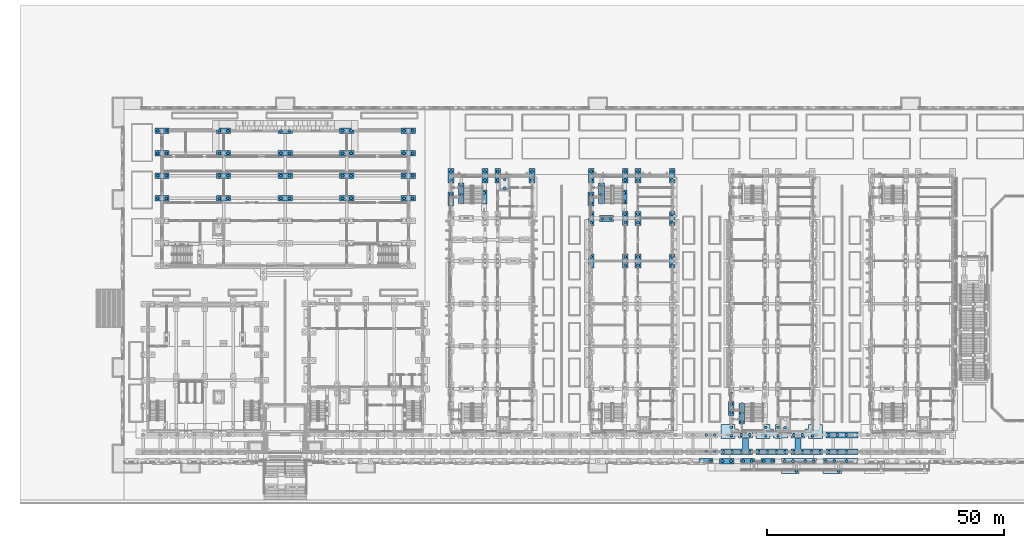
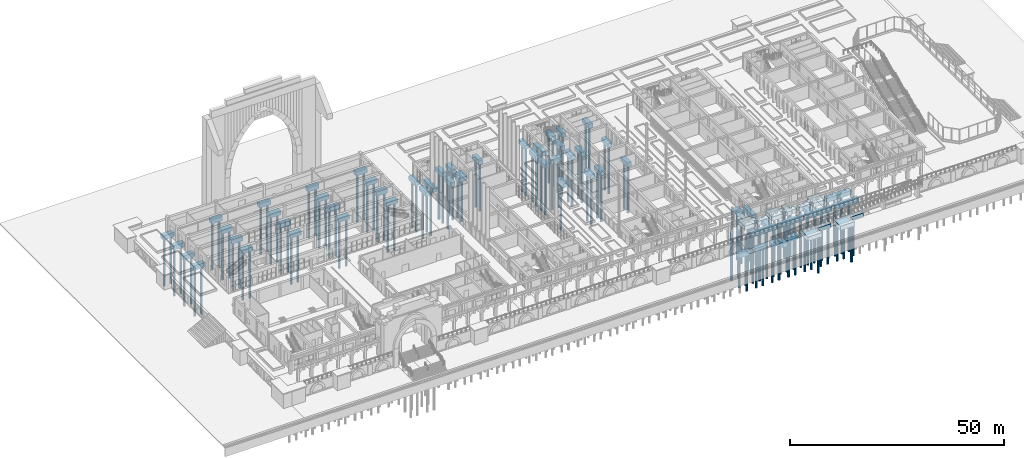
# One storey, part 4 of 161: 140 piles, 60 footings.
"""IFC4 building model written with IfcOpenShell, lengths in metres."""

from ifc_helpers import new_model, si_unit, direction, frame, origin, origin_2d, place, context, subcontext, project, spatial, polyline, rectangle, circle, outline, extrude, material, material_profile, profile_set, type_object, element, save


model = new_model("IFC4")

# Units and contexts
model_context = context("Model", 3, precision=1e-05, world=origin(), true_north=direction((0.0, 1.0)))
body_context = subcontext(model_context, "Body", "Model", "MODEL_VIEW")
ifc_project = project(units=[si_unit("LENGTHUNIT", "METRE"), si_unit("AREAUNIT", "SQUARE_METRE"), si_unit("VOLUMEUNIT", "CUBIC_METRE"), si_unit("PLANEANGLEUNIT", "RADIAN"), si_unit("MASSUNIT", "GRAM", prefix="KILO")], contexts=[model_context])

# Site, building, storey
site_placement = place(None, origin())
site = spatial("IfcSite", under=ifc_project, at=site_placement, CompositionType="ELEMENT")
building_placement = place(site_placement, origin())
building = spatial("IfcBuilding", under=site, at=building_placement, Name="Elbe Cascade School", CompositionType="ELEMENT")
storey_placement = place(building_placement, origin())
storey = spatial("IfcBuildingStorey", under=building, at=storey_placement, Name="L00", CompositionType="ELEMENT", Elevation=0.0)

# Piles
ifc_material_1 = material(Name="Concrete C35/45", Category="concrete")
ifc_material_profile = material_profile(ifc_material_1, circle(Radius=0.300048828125, at=origin_2d()), Name="RC D600")
ifc_profile_set = profile_set([ifc_material_profile], Name="Concrete C35/45")
pile_type = type_object("IfcPileType", Name="Found bored pile RC D600", PredefinedType="BORED", material=ifc_profile_set)
for number, where, z_axis, x_axis, name in (
    (1, (123.779296875, -0.25, -4.5), (0.0, 0.0, -1.0), (1.0, 0.0, 0.0), "Pile 025-2"),
    (2, (126.34130859375, -0.25, -4.5), (0.0, 0.0, -1.0), (1.0, 0.0, 0.0), "Pile 026-1"),
    (3, (128.141357421875, -0.25, -4.5), (0.0, 0.0, -1.0), (1.0, 0.0, 0.0), "Pile 026-2"),
    (4, (135.0654296875, -0.25, -4.5), (0.0, 0.0, -1.0), (1.0, 0.0, 0.0), "Pile 027-1"),
    (5, (136.865478515625, -0.25, -4.5), (0.0, 0.0, -1.0), (1.0, 0.0, 0.0), "Pile 027-2"),
):
    element("IfcPile", number, at=place(storey_placement, frame(where, z_axis=z_axis, x_axis=x_axis)), inside=storey, type_object=pile_type, Name=name, PredefinedType="BORED", context=body_context, shape_type="SweptSolid", body=[
        extrude(circle(Radius=0.300048828125, at=origin_2d()), origin(), (0.0, 0.0, 1.0), 10.5),
    ])
for number, where, z_axis, x_axis, name in (
    (6, (80.35009765625, 57.39990234375, -3.199951171875), (0.0, 0.0, -1.0), (1.0, 0.0, 0.0), "Pile 037-1"),
    (7, (80.35009765625, 59.199951171875, -3.199951171875), (0.0, 0.0, -1.0), (1.0, 0.0, 0.0), "Pile 037-2"),
    (8, (139.550048828125, 6.800048828125, -3.199951171875), (0.0, 0.0, -1.0), (1.0, 0.0, 0.0), "Pile 039-1"),
):
    element("IfcPile", number, at=place(storey_placement, frame(where, z_axis=z_axis, x_axis=x_axis)), inside=storey, type_object=pile_type, Name=name, PredefinedType="BORED", context=body_context, shape_type="SweptSolid", body=[
        extrude(circle(Radius=0.300048828125, at=origin_2d()), origin(), (0.0, 0.0, 1.0), 11.800048828125),
    ])
for number, where, z_axis, x_axis, name in (
    (9, (7.10009765625, 55.25, -1.39990234375), (0.0, 0.0, -1.0), (1.0, 0.0, 0.0), "Pile 053-1"),
    (10, (8.89990234375, 55.25, -1.39990234375), (0.0, 0.0, -1.0), (1.0, 0.0, 0.0), "Pile 053-2"),
    (11, (7.10009765625, 60.0, -1.39990234375), (0.0, 0.0, -1.0), (1.0, 0.0, 0.0), "Pile 054-1"),
    (12, (8.89990234375, 60.0, -1.39990234375), (0.0, 0.0, -1.0), (1.0, 0.0, 0.0), "Pile 054-2"),
    (13, (7.10009765625, 64.75, -1.39990234375), (0.0, 0.0, -1.0), (1.0, 0.0, 0.0), "Pile 055-1"),
    (14, (8.89990234375, 64.75, -1.39990234375), (0.0, 0.0, -1.0), (1.0, 0.0, 0.0), "Pile 055-2"),
    (15, (7.10009765625, 69.5, -1.39990234375), (0.0, 0.0, -1.0), (1.0, 0.0, 0.0), "Pile 056-1"),
    (16, (8.89990234375, 69.5, -1.39990234375), (0.0, 0.0, -1.0), (1.0, 0.0, 0.0), "Pile 056-2"),
    (17, (20.10009765625, 55.25, -1.39990234375), (0.0, 0.0, -1.0), (1.0, 0.0, 0.0), "Pile 068-1"),
    (18, (21.89990234375, 55.25, -1.39990234375), (0.0, 0.0, -1.0), (1.0, 0.0, 0.0), "Pile 068-2"),
    (19, (20.10009765625, 60.0, -1.39990234375), (0.0, 0.0, -1.0), (1.0, 0.0, 0.0), "Pile 069-1"),
    (20, (21.89990234375, 60.0, -1.39990234375), (0.0, 0.0, -1.0), (1.0, 0.0, 0.0), "Pile 069-2"),
    (21, (20.10009765625, 64.75, -1.39990234375), (0.0, 0.0, -1.0), (1.0, 0.0, 0.0), "Pile 070-1"),
    (22, (21.89990234375, 64.75, -1.39990234375), (0.0, 0.0, -1.0), (1.0, 0.0, 0.0), "Pile 070-2"),
    (23, (20.10009765625, 69.5, -1.39990234375), (0.0, 0.0, -1.0), (1.0, 0.0, 0.0), "Pile 071-1"),
    (24, (21.89990234375, 69.5, -1.39990234375), (0.0, 0.0, -1.0), (1.0, 0.0, 0.0), "Pile 071-2"),
    (25, (33.10009765625, 55.25, -1.39990234375), (0.0, 0.0, -1.0), (1.0, 0.0, 0.0), "Pile 084-1"),
    (26, (34.89990234375, 55.25, -1.39990234375), (0.0, 0.0, -1.0), (1.0, 0.0, 0.0), "Pile 084-2"),
    (27, (33.10009765625, 60.0, -1.39990234375), (0.0, 0.0, -1.0), (1.0, 0.0, 0.0), "Pile 085-1"),
    (28, (34.89990234375, 60.0, -1.39990234375), (0.0, 0.0, -1.0), (1.0, 0.0, 0.0), "Pile 085-2"),
    (29, (33.10009765625, 64.75, -1.39990234375), (0.0, 0.0, -1.0), (1.0, 0.0, 0.0), "Pile 086-1"),
    (30, (34.89990234375, 64.75, -1.39990234375), (0.0, 0.0, -1.0), (1.0, 0.0, 0.0), "Pile 086-2"),
    (31, (33.10009765625, 69.5, -1.39990234375), (0.0, 0.0, -1.0), (1.0, 0.0, 0.0), "Pile 087-1"),
    (32, (34.89990234375, 69.5, -1.39990234375), (0.0, 0.0, -1.0), (1.0, 0.0, 0.0), "Pile 087-2"),
    (33, (46.10009765625, 55.25, -1.39990234375), (0.0, 0.0, -1.0), (1.0, 0.0, 0.0), "Pile 101-1"),
    (34, (47.89990234375, 55.25, -1.39990234375), (0.0, 0.0, -1.0), (1.0, 0.0, 0.0), "Pile 101-2"),
    (35, (46.10009765625, 60.0, -1.39990234375), (0.0, 0.0, -1.0), (1.0, 0.0, 0.0), "Pile 102-1"),
    (36, (47.89990234375, 60.0, -1.39990234375), (0.0, 0.0, -1.0), (1.0, 0.0, 0.0), "Pile 102-2"),
    (37, (46.10009765625, 64.75, -1.39990234375), (0.0, 0.0, -1.0), (1.0, 0.0, 0.0), "Pile 103-1"),
    (38, (47.89990234375, 64.75, -1.39990234375), (0.0, 0.0, -1.0), (1.0, 0.0, 0.0), "Pile 103-2"),
    (39, (46.10009765625, 69.5, -1.39990234375), (0.0, 0.0, -1.0), (1.0, 0.0, 0.0), "Pile 104-1"),
    (40, (47.89990234375, 69.5, -1.39990234375), (0.0, 0.0, -1.0), (1.0, 0.0, 0.0), "Pile 104-2"),
    (41, (59.10009765625, 55.25, -1.39990234375), (0.0, 0.0, -1.0), (1.0, 0.0, 0.0), "Pile 115-1"),
    (42, (60.89990234375, 55.25, -1.39990234375), (0.0, 0.0, -1.0), (1.0, 0.0, 0.0), "Pile 115-2"),
    (43, (59.10009765625, 60.0, -1.39990234375), (0.0, 0.0, -1.0), (1.0, 0.0, 0.0), "Pile 116-1"),
    (44, (60.89990234375, 60.0, -1.39990234375), (0.0, 0.0, -1.0), (1.0, 0.0, 0.0), "Pile 116-2"),
    (45, (59.10009765625, 64.75, -1.39990234375), (0.0, 0.0, -1.0), (1.0, 0.0, 0.0), "Pile 117-1"),
    (46, (60.89990234375, 64.75, -1.39990234375), (0.0, 0.0, -1.0), (1.0, 0.0, 0.0), "Pile 117-2"),
    (47, (59.10009765625, 69.5, -1.39990234375), (0.0, 0.0, -1.0), (1.0, 0.0, 0.0), "Pile 118-1"),
    (48, (60.89990234375, 69.5, -1.39990234375), (0.0, 0.0, -1.0), (1.0, 0.0, 0.0), "Pile 118-2"),
    (49, (68.97998046875, 56.010009765625, -1.39990234375), (0.0, 0.0, -1.0), (1.0, 0.0, 0.0), "Pile 125-2"),
    (50, (69.0, 59.10009765625, -1.39990234375), (0.0, 0.0, -1.0), (1.0, 0.0, 0.0), "Pile 131-1"),
    (51, (69.0, 60.89990234375, -1.39990234375), (0.0, 0.0, -1.0), (1.0, 0.0, 0.0), "Pile 131-2"),
    (52, (76.0, 56.39990234375, -1.39990234375), (0.0, 0.0, -1.0), (1.0, 0.0, 0.0), "Pile 140-2"),
    (53, (76.199951171875, 59.10009765625, -1.39990234375), (0.0, 0.0, -1.0), (1.0, 0.0, 0.0), "Pile 146-1"),
    (54, (76.199951171875, 60.89990234375, -1.39990234375), (0.0, 0.0, -1.0), (1.0, 0.0, 0.0), "Pile 146-2"),
    (55, (78.89990234375, 59.10009765625, -1.39990234375), (0.0, 0.0, -1.0), (1.0, 0.0, 0.0), "Pile 152-1"),
    (56, (78.89990234375, 60.89990234375, -1.39990234375), (0.0, 0.0, -1.0), (1.0, 0.0, 0.0), "Pile 152-2"),
    (57, (86.10009765625, 59.10009765625, -1.39990234375), (0.0, 0.0, -1.0), (1.0, 0.0, 0.0), "Pile 161-1"),
    (58, (86.10009765625, 60.89990234375, -1.39990234375), (0.0, 0.0, -1.0), (1.0, 0.0, 0.0), "Pile 161-2"),
    (59, (98.580078125, 54.2099609375, -1.39990234375), (0.0, 0.0, -1.0), (1.0, 0.0, 0.0), "Pile 163-1"),
    (60, (98.580078125, 56.010009765625, -1.39990234375), (0.0, 0.0, -1.0), (1.0, 0.0, 0.0), "Pile 163-2"),
    (61, (98.60009765625, 42.89990234375, -1.39990234375), (0.0, 0.0, -1.0), (1.0, 0.0, 0.0), "Pile 167-2"),
    (62, (98.60009765625, 50.10009765625, -1.39990234375), (0.0, 0.0, -1.0), (1.0, 0.0, 0.0), "Pile 168-1"),
    (63, (98.60009765625, 51.89990234375, -1.39990234375), (0.0, 0.0, -1.0), (1.0, 0.0, 0.0), "Pile 168-2"),
    (64, (98.60009765625, 59.10009765625, -1.39990234375), (0.0, 0.0, -1.0), (1.0, 0.0, 0.0), "Pile 169-1"),
    (65, (98.60009765625, 60.89990234375, -1.39990234375), (0.0, 0.0, -1.0), (1.0, 0.0, 0.0), "Pile 169-2"),
    (66, (100.949951171875, 51.0, -1.39990234375), (0.0, 0.0, -1.0), (1.0, 0.0, 0.0), "Pile 171-1"),
    (67, (102.75, 51.0, -1.39990234375), (0.0, 0.0, -1.0), (1.0, 0.0, 0.0), "Pile 171-2"),
    (68, (105.60009765625, 54.60009765625, -1.39990234375), (0.0, 0.0, -1.0), (1.0, 0.0, 0.0), "Pile 173-1"),
    (69, (105.60009765625, 56.39990234375, -1.39990234375), (0.0, 0.0, -1.0), (1.0, 0.0, 0.0), "Pile 173-2"),
    (70, (105.800048828125, 41.10009765625, -1.39990234375), (0.0, 0.0, -1.0), (1.0, 0.0, 0.0), "Pile 177-1"),
    (71, (105.800048828125, 42.89990234375, -1.39990234375), (0.0, 0.0, -1.0), (1.0, 0.0, 0.0), "Pile 177-2"),
    (72, (105.800048828125, 50.10009765625, -1.39990234375), (0.0, 0.0, -1.0), (1.0, 0.0, 0.0), "Pile 178-1"),
    (73, (105.800048828125, 51.89990234375, -1.39990234375), (0.0, 0.0, -1.0), (1.0, 0.0, 0.0), "Pile 178-2"),
    (74, (105.800048828125, 59.10009765625, -1.39990234375), (0.0, 0.0, -1.0), (1.0, 0.0, 0.0), "Pile 179-1"),
    (75, (105.800048828125, 60.89990234375, -1.39990234375), (0.0, 0.0, -1.0), (1.0, 0.0, 0.0), "Pile 179-2"),
    (76, (108.5, 41.10009765625, -1.39990234375), (0.0, 0.0, -1.0), (1.0, 0.0, 0.0), "Pile 183-1"),
    (77, (108.5, 42.89990234375, -1.39990234375), (0.0, 0.0, -1.0), (1.0, 0.0, 0.0), "Pile 183-2"),
    (78, (108.5, 50.10009765625, -1.39990234375), (0.0, 0.0, -1.0), (1.0, 0.0, 0.0), "Pile 184-1"),
    (79, (108.5, 51.89990234375, -1.39990234375), (0.0, 0.0, -1.0), (1.0, 0.0, 0.0), "Pile 184-2"),
    (80, (108.5, 59.10009765625, -1.39990234375), (0.0, 0.0, -1.0), (1.0, 0.0, 0.0), "Pile 185-1"),
    (81, (108.5, 60.89990234375, -1.39990234375), (0.0, 0.0, -1.0), (1.0, 0.0, 0.0), "Pile 185-2"),
    (82, (115.699951171875, 41.10009765625, -1.39990234375), (0.0, 0.0, -1.0), (1.0, 0.0, 0.0), "Pile 189-1"),
    (83, (115.699951171875, 42.89990234375, -1.39990234375), (0.0, 0.0, -1.0), (1.0, 0.0, 0.0), "Pile 189-2"),
    (84, (115.699951171875, 50.10009765625, -1.39990234375), (0.0, 0.0, -1.0), (1.0, 0.0, 0.0), "Pile 190-1"),
    (85, (115.699951171875, 51.89990234375, -1.39990234375), (0.0, 0.0, -1.0), (1.0, 0.0, 0.0), "Pile 190-2"),
    (86, (115.699951171875, 59.10009765625, -1.39990234375), (0.0, 0.0, -1.0), (1.0, 0.0, 0.0), "Pile 191-1"),
    (87, (115.699951171875, 60.89990234375, -1.39990234375), (0.0, 0.0, -1.0), (1.0, 0.0, 0.0), "Pile 191-2"),
    (88, (128.179931640625, 9.989990234375, -1.39990234375), (0.0, 0.0, -1.0), (1.0, 0.0, 0.0), "Pile 192-1"),
    (89, (128.179931640625, 11.7900390625, -1.39990234375), (0.0, 0.0, -1.0), (1.0, 0.0, 0.0), "Pile 192-2"),
    (90, (128.199951171875, 14.10009765625, -1.39990234375), (0.0, 0.0, -1.0), (1.0, 0.0, 0.0), "Pile 194-1"),
):
    element("IfcPile", number, at=place(storey_placement, frame(where, z_axis=z_axis, x_axis=x_axis)), inside=storey, type_object=pile_type, Name=name, PredefinedType="BORED", context=body_context, shape_type="SweptSolid", body=[
        extrude(circle(Radius=0.300048828125, at=origin_2d()), origin(), (0.0, 0.0, 1.0), 13.60009765625),
    ])
for number, where, z_axis, x_axis, name in (
    (91, (139.427490234375, -0.25, -4.5), (0.0, 0.0, -1.0), (1.0, 0.0, 0.0), "Pile 260-1"),
    (92, (141.2275390625, -0.25, -4.5), (0.0, 0.0, -1.0), (1.0, 0.0, 0.0), "Pile 260-2"),
    (93, (141.929931640625, -2.300048828125, -4.5), (0.0, 0.0, -1.0), (1.0, 0.0, 0.0), "Pile 260-3"),
    (94, (143.78955078125, -0.25, -4.5), (0.0, 0.0, -1.0), (1.0, 0.0, 0.0), "Pile 260-4"),
    (95, (145.589599609375, -0.25, -4.5), (0.0, 0.0, -1.0), (1.0, 0.0, 0.0), "Pile 260-5"),
    (96, (148.151611328125, -0.25, -4.5), (0.0, 0.0, -1.0), (1.0, 0.0, 0.0), "Pile 261-1"),
    (97, (149.95166015625, -0.25, -4.5), (0.0, 0.0, -1.0), (1.0, 0.0, 0.0), "Pile 261-2"),
    (98, (150.8701171875, -2.300048828125, -4.5), (0.0, 0.0, -1.0), (1.0, 0.0, 0.0), "Pile 261-3"),
    (99, (152.513671875, -0.25, -4.5), (0.0, 0.0, -1.0), (1.0, 0.0, 0.0), "Pile 261-4"),
):
    element("IfcPile", number, at=place(storey_placement, frame(where, z_axis=z_axis, x_axis=x_axis)), inside=storey, type_object=pile_type, Name=name, PredefinedType="BORED", context=body_context, shape_type="SweptSolid", body=[
        extrude(circle(Radius=0.300048828125, at=origin_2d()), origin(), (0.0, 0.0, 1.0), 10.5),
    ])
for number, where, z_axis, x_axis, name in (
    (100, (128.199951171875, 5.10009765625, -1.39990234375), (0.0, 0.0, -1.0), (1.0, 0.0, 0.0), "Pile 263-1"),
    (101, (128.199951171875, 6.89990234375, -1.39990234375), (0.0, 0.0, -1.0), (1.0, 0.0, 0.0), "Pile 263-2"),
    (102, (130.300048828125, 5.27490234375, -1.39990234375), (0.0, 0.0, -1.0), (1.0, 0.0, 0.0), "Pile 263-3"),
    (103, (132.10009765625, 5.27490234375, -1.39990234375), (0.0, 0.0, -1.0), (1.0, 0.0, 0.0), "Pile 263-4"),
    (104, (135.39990234375, 5.10009765625, -1.39990234375), (0.0, 0.0, -1.0), (1.0, 0.0, 0.0), "Pile 264-1"),
    (105, (135.39990234375, 6.89990234375, -1.39990234375), (0.0, 0.0, -1.0), (1.0, 0.0, 0.0), "Pile 264-2"),
    (106, (138.10009765625, 5.10009765625, -1.39990234375), (0.0, 0.0, -1.0), (1.0, 0.0, 0.0), "Pile 264-3"),
    (107, (138.10009765625, 6.89990234375, -1.39990234375), (0.0, 0.0, -1.0), (1.0, 0.0, 0.0), "Pile 264-4"),
    (108, (141.39990234375, 5.27490234375, -1.39990234375), (0.0, 0.0, -1.0), (1.0, 0.0, 0.0), "Pile 265-1"),
    (109, (143.199951171875, 5.27490234375, -1.39990234375), (0.0, 0.0, -1.0), (1.0, 0.0, 0.0), "Pile 265-2"),
    (110, (145.300048828125, 5.10009765625, -1.39990234375), (0.0, 0.0, -1.0), (1.0, 0.0, 0.0), "Pile 265-3"),
    (111, (122.89990234375, 1.72509765625, -1.39990234375), (0.0, 0.0, -1.0), (1.0, 0.0, 0.0), "Pile 285-3"),
    (112, (124.699951171875, 1.72509765625, -1.39990234375), (0.0, 0.0, -1.0), (1.0, 0.0, 0.0), "Pile 285-4"),
    (113, (134.0, 1.72509765625, -1.39990234375), (0.0, 0.0, -1.0), (1.0, 0.0, 0.0), "Pile 286-1"),
    (114, (135.800048828125, 1.72509765625, -1.39990234375), (0.0, 0.0, -1.0), (1.0, 0.0, 0.0), "Pile 286-2"),
    (115, (137.699951171875, 1.72509765625, -1.39990234375), (0.0, 0.0, -1.0), (1.0, 0.0, 0.0), "Pile 286-3"),
    (116, (139.5, 1.72509765625, -1.39990234375), (0.0, 0.0, -1.0), (1.0, 0.0, 0.0), "Pile 286-4"),
    (117, (148.800048828125, 1.72509765625, -1.39990234375), (0.0, 0.0, -1.0), (1.0, 0.0, 0.0), "Pile 287-1"),
    (118, (150.60009765625, 1.72509765625, -1.39990234375), (0.0, 0.0, -1.0), (1.0, 0.0, 0.0), "Pile 287-2"),
    (119, (152.5, 1.72509765625, -1.39990234375), (0.0, 0.0, -1.0), (1.0, 0.0, 0.0), "Pile 287-3"),
    (120, (122.89990234375, 5.27490234375, -1.39990234375), (0.0, 0.0, -1.0), (1.0, 0.0, 0.0), "Pile 290-3"),
    (121, (124.699951171875, 5.27490234375, -1.39990234375), (0.0, 0.0, -1.0), (1.0, 0.0, 0.0), "Pile 290-4"),
    (122, (148.800048828125, 5.27490234375, -1.39990234375), (0.0, 0.0, -1.0), (1.0, 0.0, 0.0), "Pile 291-1"),
    (123, (150.60009765625, 5.27490234375, -1.39990234375), (0.0, 0.0, -1.0), (1.0, 0.0, 0.0), "Pile 291-2"),
    (124, (152.5, 5.27490234375, -1.39990234375), (0.0, 0.0, -1.0), (1.0, 0.0, 0.0), "Pile 291-3"),
):
    element("IfcPile", number, at=place(storey_placement, frame(where, z_axis=z_axis, x_axis=x_axis)), inside=storey, type_object=pile_type, Name=name, PredefinedType="BORED", context=body_context, shape_type="SweptSolid", body=[
        extrude(circle(Radius=0.300048828125, at=origin_2d()), origin(), (0.0, 0.0, 1.0), 13.60009765625),
    ])
for number, where, z_axis, x_axis, name in (
    (125, (130.703369140625, -0.25, -4.5), (0.0, 0.0, -1.0), (1.0, 0.0, 0.0), "Pile 298-1"),
    (126, (132.50341796875, -0.25, -4.5), (0.0, 0.0, -1.0), (1.0, 0.0, 0.0), "Pile 298-2"),
):
    element("IfcPile", number, at=place(storey_placement, frame(where, z_axis=z_axis, x_axis=x_axis)), inside=storey, type_object=pile_type, Name=name, PredefinedType="BORED", context=body_context, shape_type="SweptSolid", body=[
        extrude(circle(Radius=0.300048828125, at=origin_2d()), origin(), (0.0, 0.0, 1.0), 10.5),
    ])
for number, where, z_axis, x_axis, name in (
    (127, (130.375, 8.139892578125, -1.39990234375), (0.0, 0.0, -1.0), (1.0, 0.0, 0.0), "Pile 300-1"),
    (128, (130.375, 9.93994140625, -1.39990234375), (0.0, 0.0, -1.0), (1.0, 0.0, 0.0), "Pile 300-2"),
    (129, (100.77490234375, 56.06005859375, -1.39990234375), (0.0, 0.0, -1.0), (1.0, 0.0, 0.0), "Pile 303-1"),
    (130, (100.77490234375, 57.860107421875, -1.39990234375), (0.0, 0.0, -1.0), (1.0, 0.0, 0.0), "Pile 303-2"),
    (131, (71.175048828125, 56.06005859375, -1.39990234375), (0.0, 0.0, -1.0), (1.0, 0.0, 0.0), "Pile 306-1"),
    (132, (71.175048828125, 57.860107421875, -1.39990234375), (0.0, 0.0, -1.0), (1.0, 0.0, 0.0), "Pile 306-2"),
    (133, (126.60009765625, 1.72509765625, -1.39990234375), (0.0, 0.0, -1.0), (1.0, 0.0, 0.0), "Pile 315-1"),
    (134, (128.39990234375, 1.72509765625, -1.39990234375), (0.0, 0.0, -1.0), (1.0, 0.0, 0.0), "Pile 315-2"),
    (135, (130.300048828125, 1.72509765625, -1.39990234375), (0.0, 0.0, -1.0), (1.0, 0.0, 0.0), "Pile 315-3"),
    (136, (132.10009765625, 1.72509765625, -1.39990234375), (0.0, 0.0, -1.0), (1.0, 0.0, 0.0), "Pile 315-4"),
    (137, (141.39990234375, 1.72509765625, -1.39990234375), (0.0, 0.0, -1.0), (1.0, 0.0, 0.0), "Pile 316-1"),
    (138, (143.199951171875, 1.72509765625, -1.39990234375), (0.0, 0.0, -1.0), (1.0, 0.0, 0.0), "Pile 316-2"),
    (139, (145.10009765625, 1.72509765625, -1.39990234375), (0.0, 0.0, -1.0), (1.0, 0.0, 0.0), "Pile 316-3"),
    (140, (146.89990234375, 1.72509765625, -1.39990234375), (0.0, 0.0, -1.0), (1.0, 0.0, 0.0), "Pile 316-4"),
):
    element("IfcPile", number, at=place(storey_placement, frame(where, z_axis=z_axis, x_axis=x_axis)), inside=storey, type_object=pile_type, Name=name, PredefinedType="BORED", context=body_context, shape_type="SweptSolid", body=[
        extrude(circle(Radius=0.300048828125, at=origin_2d()), origin(), (0.0, 0.0, 1.0), 13.60009765625),
    ])

# Footings
ifc_material_2 = material(Name="Concrete C30/37", Category="concrete")
footing_type_1 = type_object("IfcFootingType", Name="Found pile cap 2 piles 3000x1200x1200", PredefinedType="PILE_CAP", material=ifc_material_2)
for number, where, z_axis, x_axis, name in (
    (141, (122.87939453125, -0.25, -4.60009765625), (0.0, 0.0, 1.0), (1.0, 0.0, 0.0), "Pile cap 025"),
    (142, (127.241455078125, -0.25, -4.60009765625), (0.0, 0.0, 1.0), (1.0, 0.0, 0.0), "Pile cap 026"),
    (143, (135.965576171875, -0.25, -4.60009765625), (0.0, 0.0, 1.0), (1.0, 0.0, 0.0), "Pile cap 027"),
    (144, (8.0, 55.25, -1.5), (0.0, 0.0, 1.0), (1.0, 0.0, 0.0), "Pile cap 053"),
    (145, (8.0, 60.0, -1.5), (0.0, 0.0, 1.0), (1.0, 0.0, 0.0), "Pile cap 054"),
    (146, (8.0, 64.75, -1.5), (0.0, 0.0, 1.0), (1.0, 0.0, 0.0), "Pile cap 055"),
    (147, (8.0, 69.5, -1.5), (0.0, 0.0, 1.0), (1.0, 0.0, 0.0), "Pile cap 056"),
    (148, (21.0, 55.25, -1.5), (0.0, 0.0, 1.0), (1.0, 0.0, 0.0), "Pile cap 068"),
    (149, (21.0, 60.0, -1.5), (0.0, 0.0, 1.0), (1.0, 0.0, 0.0), "Pile cap 069"),
    (150, (21.0, 64.75, -1.5), (0.0, 0.0, 1.0), (1.0, 0.0, 0.0), "Pile cap 070"),
    (151, (21.0, 69.5, -1.5), (0.0, 0.0, 1.0), (1.0, 0.0, 0.0), "Pile cap 071"),
    (152, (34.0, 55.25, -1.5), (0.0, 0.0, 1.0), (1.0, 0.0, 0.0), "Pile cap 084"),
    (153, (34.0, 60.0, -1.5), (0.0, 0.0, 1.0), (1.0, 0.0, 0.0), "Pile cap 085"),
    (154, (34.0, 64.75, -1.5), (0.0, 0.0, 1.0), (1.0, 0.0, 0.0), "Pile cap 086"),
    (155, (34.0, 69.5, -1.5), (0.0, 0.0, 1.0), (1.0, 0.0, 0.0), "Pile cap 087"),
    (156, (47.0, 55.25, -1.5), (0.0, 0.0, 1.0), (1.0, 0.0, 0.0), "Pile cap 101"),
    (157, (47.0, 60.0, -1.5), (0.0, 0.0, 1.0), (1.0, 0.0, 0.0), "Pile cap 102"),
    (158, (47.0, 64.75, -1.5), (0.0, 0.0, 1.0), (1.0, 0.0, 0.0), "Pile cap 103"),
    (159, (47.0, 69.5, -1.5), (0.0, 0.0, 1.0), (1.0, 0.0, 0.0), "Pile cap 104"),
    (160, (60.0, 55.25, -1.5), (0.0, 0.0, 1.0), (1.0, 0.0, 0.0), "Pile cap 115"),
    (161, (60.0, 60.0, -1.5), (0.0, 0.0, 1.0), (1.0, 0.0, 0.0), "Pile cap 116"),
    (162, (60.0, 64.75, -1.5), (0.0, 0.0, 1.0), (1.0, 0.0, 0.0), "Pile cap 117"),
    (163, (60.0, 69.5, -1.5), (0.0, 0.0, 1.0), (1.0, 0.0, 0.0), "Pile cap 118"),
):
    element("IfcFooting", number, at=place(storey_placement, frame(where, z_axis=z_axis, x_axis=x_axis)), inside=storey, type_object=footing_type_1, Name=name, PredefinedType="PILE_CAP", context=body_context, shape_type="SweptSolid", body=[
        extrude(rectangle(XDim=3.0, YDim=1.199951171875, at=origin_2d()), origin(), (0.0, 0.0, 1.0), 1.199951171875),
    ])
for number, where, z_axis, x_axis, name in (
    (164, (68.97998046875, 55.110107421875, -1.5), (0.0, 0.0, 1.0), (1.0, 0.0, 0.0), "Pile cap 125"),
    (165, (69.0, 60.0, -1.5), (0.0, 0.0, 1.0), (1.0, 0.0, 0.0), "Pile cap 131"),
    (166, (76.0, 55.5, -1.5), (0.0, 0.0, 1.0), (1.0, 0.0, 0.0), "Pile cap 140"),
    (167, (76.199951171875, 60.0, -1.5), (0.0, 0.0, 1.0), (1.0, 0.0, 0.0), "Pile cap 146"),
    (168, (78.89990234375, 60.0, -1.5), (0.0, 0.0, 1.0), (1.0, 0.0, 0.0), "Pile cap 152"),
    (169, (86.10009765625, 60.0, -1.5), (0.0, 0.0, 1.0), (1.0, 0.0, 0.0), "Pile cap 161"),
    (170, (98.580078125, 55.110107421875, -1.5), (0.0, 0.0, 1.0), (1.0, 0.0, 0.0), "Pile cap 163"),
    (171, (98.60009765625, 42.0, -1.5), (0.0, 0.0, 1.0), (1.0, 0.0, 0.0), "Pile cap 167"),
    (172, (98.60009765625, 51.0, -1.5), (0.0, 0.0, 1.0), (1.0, 0.0, 0.0), "Pile cap 168"),
    (173, (98.60009765625, 60.0, -1.5), (0.0, 0.0, 1.0), (1.0, 0.0, 0.0), "Pile cap 169"),
):
    element("IfcFooting", number, at=place(storey_placement, frame(where, z_axis=z_axis, x_axis=x_axis)), inside=storey, type_object=footing_type_1, Name=name, PredefinedType="PILE_CAP", context=body_context, shape_type="SweptSolid", body=[
        extrude(rectangle(XDim=1.199951171875, YDim=3.0, at=origin_2d()), origin(), (0.0, 0.0, 1.0), 1.199951171875),
    ])
footing_1_placement = place(storey_placement, frame((101.85009765625, 51.0, -1.5), z_axis=(0.0, 0.0, 1.0), x_axis=(1.0, 0.0, 0.0)))
element("IfcFooting", 174, at=footing_1_placement, inside=storey, type_object=footing_type_1, Name="Pile cap 171", PredefinedType="PILE_CAP", context=body_context, shape_type="SweptSolid", body=[
    extrude(rectangle(XDim=3.0, YDim=1.199951171875, at=origin_2d()), origin(), (0.0, 0.0, 1.0), 1.199951171875),
])
for number, where, z_axis, x_axis, name in (
    (175, (105.60009765625, 55.5, -1.5), (0.0, 0.0, 1.0), (1.0, 0.0, 0.0), "Pile cap 173"),
    (176, (105.800048828125, 42.0, -1.5), (0.0, 0.0, 1.0), (1.0, 0.0, 0.0), "Pile cap 177"),
    (177, (105.800048828125, 51.0, -1.5), (0.0, 0.0, 1.0), (1.0, 0.0, 0.0), "Pile cap 178"),
    (178, (105.800048828125, 60.0, -1.5), (0.0, 0.0, 1.0), (1.0, 0.0, 0.0), "Pile cap 179"),
    (179, (108.5, 42.0, -1.5), (0.0, 0.0, 1.0), (1.0, 0.0, 0.0), "Pile cap 183"),
    (180, (108.5, 51.0, -1.5), (0.0, 0.0, 1.0), (1.0, 0.0, 0.0), "Pile cap 184"),
    (181, (108.5, 60.0, -1.5), (0.0, 0.0, 1.0), (1.0, 0.0, 0.0), "Pile cap 185"),
    (182, (115.699951171875, 42.0, -1.5), (0.0, 0.0, 1.0), (1.0, 0.0, 0.0), "Pile cap 189"),
    (183, (115.699951171875, 51.0, -1.5), (0.0, 0.0, 1.0), (1.0, 0.0, 0.0), "Pile cap 190"),
    (184, (115.699951171875, 60.0, -1.5), (0.0, 0.0, 1.0), (1.0, 0.0, 0.0), "Pile cap 191"),
    (185, (128.179931640625, 10.889892578125, -1.5), (0.0, 0.0, 1.0), (1.0, 0.0, 0.0), "Pile cap 192"),
):
    element("IfcFooting", number, at=place(storey_placement, frame(where, z_axis=z_axis, x_axis=x_axis)), inside=storey, type_object=footing_type_1, Name=name, PredefinedType="PILE_CAP", context=body_context, shape_type="SweptSolid", body=[
        extrude(rectangle(XDim=1.199951171875, YDim=3.0, at=origin_2d()), origin(), (0.0, 0.0, 1.0), 1.199951171875),
    ])
ifc_material_3 = material(Name="Concrete C30/37", Category="concrete")
footing_type_2 = type_object("IfcFootingType", Name="Found pile cap 2 piles 4360x1200x1200", PredefinedType="PILE_CAP", material=ifc_material_3)
for number, where, z_axis, x_axis, name in (
    (186, (130.375, 9.719970703125, -1.5), (0.0, 0.0, 1.0), (1.0, 0.0, 0.0), "Pile cap 300"),
    (187, (100.77490234375, 56.280029296875, -1.5), (0.0, 0.0, 1.0), (1.0, 0.0, 0.0), "Pile cap 303"),
    (188, (71.175048828125, 56.280029296875, -1.5), (0.0, 0.0, 1.0), (1.0, 0.0, 0.0), "Pile cap 306"),
):
    element("IfcFooting", number, at=place(storey_placement, frame(where, z_axis=z_axis, x_axis=x_axis)), inside=storey, type_object=footing_type_2, Name=name, PredefinedType="PILE_CAP", context=body_context, shape_type="SweptSolid", body=[
        extrude(rectangle(XDim=1.199951171875, YDim=4.360107421875, at=origin_2d()), origin(), (0.0, 0.0, 1.0), 1.199951171875),
    ])
ifc_material_4 = material(Name="Concrete C30/37", Category="concrete")
footing_type_3 = type_object("IfcFootingType", Name="Found pile cap 4 piles 6700x1200x1200", PredefinedType="PILE_CAP", material=ifc_material_4)
for number, where, z_axis, x_axis, name in (
    (189, (136.75, 1.72509765625, -1.5), (0.0, 0.0, 1.0), (1.0, 0.0, 0.0), "Pile cap 286"),
    (190, (151.550048828125, 1.72509765625, -1.5), (0.0, 0.0, 1.0), (1.0, 0.0, 0.0), "Pile cap 287"),
    (191, (151.550048828125, 5.27490234375, -1.5), (0.0, 0.0, 1.0), (1.0, 0.0, 0.0), "Pile cap 291"),
):
    element("IfcFooting", number, at=place(storey_placement, frame(where, z_axis=z_axis, x_axis=x_axis)), inside=storey, type_object=footing_type_3, Name=name, PredefinedType="PILE_CAP", context=body_context, shape_type="SweptSolid", body=[
        extrude(rectangle(XDim=6.699951171875, YDim=1.199951171875, at=origin_2d()), origin(), (0.0, 0.0, 1.0), 1.199951171875),
    ])
ifc_material_5 = material(Name="Concrete C30/37", Category="concrete")
footing_type_4 = type_object("IfcFootingType", Name="Found pile cap merged 1200", PredefinedType="PILE_CAP", material=ifc_material_5)
footing_2_placement = place(storey_placement, frame((0.0, 0.0, -3.300048828125)))
element("IfcFooting", 192, at=footing_2_placement, inside=storey, type_object=footing_type_4, Name="Pile cap 037", PredefinedType="PILE_CAP", context=body_context, shape_type="SweptSolid", body=[
    extrude(outline(polyline([(81.449951171875, 59.75), (81.449951171875, 56.85009765625), (79.14990234375, 56.85009765625), (79.14990234375, 58.5), (79.5, 58.5), (79.5, 59.75), (81.449951171875, 59.75)])), origin(), (0.0, 0.0, 1.0), 1.199951171875),
])
footing_3_placement = place(storey_placement, frame((0.0, 0.0, -4.60009765625)))
element("IfcFooting", 193, at=footing_3_placement, inside=storey, type_object=footing_type_4, Name="Pile cap 260", PredefinedType="PILE_CAP", context=body_context, shape_type="SweptSolid", body=[
    extrude(outline(polyline([(142.530029296875, -2.89990234375), (138.82763671875, -2.89990234375), (138.82763671875, 0.35009765625), (142.530029296875, 0.35009765625), (143.189697265625, 0.35009765625), (146.189697265625, 0.35009765625), (146.189697265625, -0.85009765625), (143.189697265625, -0.85009765625), (142.530029296875, -0.85009765625), (142.530029296875, -2.89990234375)])), origin(), (0.0, 0.0, 1.0), 1.2001953125),
])
footing_4_placement = place(storey_placement, frame((0.0, 0.0, -4.60009765625)))
element("IfcFooting", 194, at=footing_4_placement, inside=storey, type_object=footing_type_4, Name="Pile cap 261", PredefinedType="PILE_CAP", context=body_context, shape_type="SweptSolid", body=[
    extrude(outline(polyline([(151.469970703125, -2.89990234375), (147.5517578125, -2.89990234375), (147.5517578125, 0.35009765625), (151.469970703125, 0.35009765625), (151.913818359375, 0.35009765625), (154.913818359375, 0.35009765625), (154.913818359375, -0.85009765625), (151.913818359375, -0.85009765625), (151.469970703125, -0.85009765625), (151.469970703125, -2.89990234375)])), origin(), (0.0, 0.0, 1.0), 1.2001953125),
])
footing_5_placement = place(storey_placement, frame((0.0, 0.0, -1.5)))
element("IfcFooting", 195, at=footing_5_placement, inside=storey, type_object=footing_type_4, Name="Pile cap 263", PredefinedType="PILE_CAP", context=body_context, shape_type="SweptSolid", body=[
    extrude(outline(polyline([(132.699951171875, 5.875), (132.699951171875, 4.675048828125), (129.699951171875, 4.675048828125), (129.699951171875, 5.3798828125), (129.0, 5.3798828125), (129.0, 4.5), (126.0, 4.5), (126.0, 7.5), (129.0, 7.5), (129.0, 6.580078125), (129.699951171875, 6.580078125), (129.699951171875, 5.875), (132.699951171875, 5.875)])), origin(), (0.0, 0.0, 1.0), 1.199951171875),
])
footing_6_placement = place(storey_placement, frame((0.0, 0.0, -1.5)))
element("IfcFooting", 196, at=footing_6_placement, inside=storey, type_object=footing_type_4, Name="Pile cap 264", PredefinedType="PILE_CAP", context=body_context, shape_type="SweptSolid", body=[
    extrude(outline(polyline([(137.10009765625, 5.875), (137.5, 5.875), (137.5, 7.5), (138.699951171875, 7.5), (138.699951171875, 5.875), (140.10009765625, 5.875), (140.10009765625, 4.675048828125), (138.699951171875, 4.675048828125), (138.699951171875, 4.5), (137.5, 4.5), (137.5, 4.675048828125), (137.10009765625, 4.675048828125), (137.10009765625, 5.3798828125), (136.39990234375, 5.3798828125), (136.39990234375, 4.5), (133.39990234375, 4.5), (133.39990234375, 7.5), (136.39990234375, 7.5), (136.39990234375, 6.580078125), (137.10009765625, 6.580078125), (137.10009765625, 5.875)])), origin(), (0.0, 0.0, 1.0), 1.199951171875),
])
footing_7_placement = place(storey_placement, frame((0.0, 0.0, -1.5)))
element("IfcFooting", 197, at=footing_7_placement, inside=storey, type_object=footing_type_4, Name="Pile cap 265", PredefinedType="PILE_CAP", context=body_context, shape_type="SweptSolid", body=[
    extrude(outline(polyline([(143.800048828125, 4.675048828125), (140.800048828125, 4.675048828125), (140.800048828125, 5.875), (143.800048828125, 5.875), (143.800048828125, 6.580078125), (144.5, 6.580078125), (144.5, 7.5), (147.5, 7.5), (147.5, 4.5), (144.5, 4.5), (144.5, 5.3798828125), (143.800048828125, 5.3798828125), (143.800048828125, 4.675048828125)])), origin(), (0.0, 0.0, 1.0), 1.199951171875),
])
footing_8_placement = place(storey_placement, frame((0.0, 0.0, -4.60009765625)))
element("IfcFooting", 198, at=footing_8_placement, inside=storey, type_object=footing_type_4, Name="Pile cap 298", PredefinedType="PILE_CAP", context=body_context, shape_type="SweptSolid", body=[
    extrude(outline(polyline([(133.590087890625, -0.85009765625), (133.590087890625, -2.300048828125), (132.389892578125, -2.300048828125), (132.389892578125, -0.85009765625), (130.103515625, -0.85009765625), (130.103515625, 0.35009765625), (133.103515625, 0.35009765625), (133.103515625, -0.85009765625), (133.590087890625, -0.85009765625)])), origin(), (0.0, 0.0, 1.0), 1.2001953125),
])
footing_9_placement = place(storey_placement, frame((0.0, 0.0, -1.5)))
element("IfcFooting", 199, at=footing_9_placement, inside=storey, type_object=footing_type_4, Name="Pile cap 315", PredefinedType="PILE_CAP", context=body_context, shape_type="SweptSolid", body=[
    extrude(outline(polyline([(126.0, 2.324951171875), (129.0, 2.324951171875), (129.699951171875, 2.324951171875), (130.60009765625, 2.324951171875), (130.60009765625, 4.5), (131.800048828125, 4.5), (131.800048828125, 2.324951171875), (132.699951171875, 2.324951171875), (132.699951171875, 1.125), (129.699951171875, 1.125), (129.0, 1.125), (126.0, 1.125), (126.0, 2.324951171875)])), origin(), (0.0, 0.0, 1.0), 1.199951171875),
])
footing_10_placement = place(storey_placement, frame((0.0, 0.0, -1.5)))
element("IfcFooting", 200, at=footing_10_placement, inside=storey, type_object=footing_type_4, Name="Pile cap 316", PredefinedType="PILE_CAP", context=body_context, shape_type="SweptSolid", body=[
    extrude(outline(polyline([(140.800048828125, 2.324951171875), (141.699951171875, 2.324951171875), (141.699951171875, 4.5), (142.89990234375, 4.5), (142.89990234375, 2.324951171875), (143.800048828125, 2.324951171875), (144.5, 2.324951171875), (147.5, 2.324951171875), (147.5, 1.125), (144.5, 1.125), (143.800048828125, 1.125), (140.800048828125, 1.125), (140.800048828125, 2.324951171875)])), origin(), (0.0, 0.0, 1.0), 1.199951171875),
])

save(model, "model.ifc")
